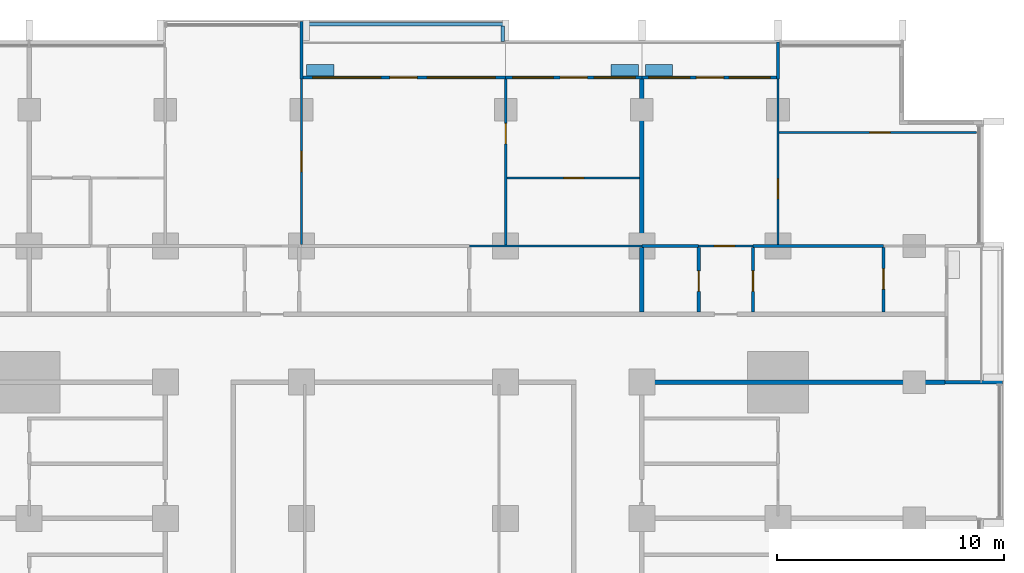
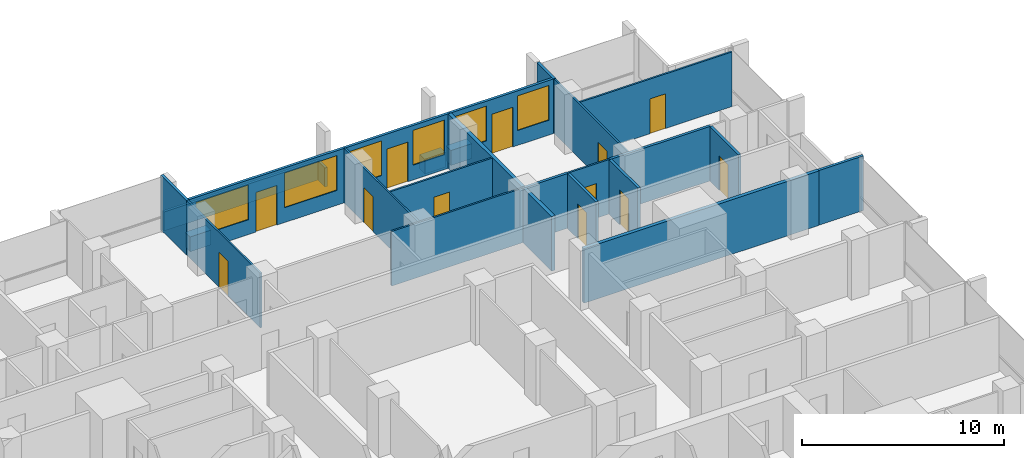
# One storey, part 11 of 17: 26 walls, 12 doors, 6 windows, 18 openings.
"""IFC4 building model written with IfcOpenShell, lengths in metres."""

from ifc_helpers import new_model, si_unit, direction, frame, frame_2d, origin, place, context, subcontext, project, spatial, rectangle, extrude, material, layer, layer_set, type_object, element, fill, save


model = new_model("IFC4")

# Units and contexts
model_context = context("Model", 3, precision=1e-05, world=origin(), true_north=direction((0.0, 1.0)))
body_context = subcontext(model_context, "Body", "Model", "MODEL_VIEW")
ifc_project = project(units=[si_unit("LENGTHUNIT", "METRE"), si_unit("AREAUNIT", "SQUARE_METRE"), si_unit("VOLUMEUNIT", "CUBIC_METRE"), si_unit("PLANEANGLEUNIT", "RADIAN"), si_unit("MASSUNIT", "GRAM", prefix="KILO")], contexts=[model_context])

# Site, building, storey
site_placement = place(None, origin())
site = spatial("IfcSite", under=ifc_project, at=site_placement, CompositionType="ELEMENT")
building_placement = place(site_placement, origin())
building = spatial("IfcBuilding", under=site, at=building_placement, Name="Finial Court Residences", CompositionType="ELEMENT")
storey_placement = place(building_placement, frame((0.0, 0.0, 124.300048828125)))
storey = spatial("IfcBuildingStorey", under=building, at=storey_placement, Name="L31", CompositionType="ELEMENT", Elevation=124.300048828125)

# Walls
ifc_material_1 = material(Name="Gypsum board")
ifc_layer_1 = layer(ifc_material_1, 0.02490234375)
ifc_material_2 = material(Name="Acoustic mineral wool in double frame")
ifc_layer_2 = layer(ifc_material_2, 0.14990234375)
ifc_layer_3 = layer(ifc_material_1, 0.02490234375)
ifc_layer_set_1 = layer_set([ifc_layer_1, ifc_layer_2, ifc_layer_3], Name="Acoustic party wall 200, 1 hour")
wall_type_1 = type_object("IfcWallType", Name="Acoustic party wall 200, 1 hour", PredefinedType="PARTITIONING", material=ifc_layer_set_1)
wall_1_placement = place(storey_placement, frame((10.5, 10.60009765625, 0.0), z_axis=(0.0, 0.0, 1.0), x_axis=(0.0, 1.0, 0.0)))
element("IfcWall", 1, at=wall_1_placement, inside=storey, type_object=wall_type_1, Name="Partition L31-068", PredefinedType="PARTITIONING", context=body_context, shape_type="SweptSolid", body=[
    extrude(rectangle(XDim=2.824951171875, YDim=0.199951171875, at=frame_2d((1.41259765625, 0.0))), origin(), (0.0, 0.0, 1.0), 3.300048828125),
])
wall_2_placement = place(storey_placement, frame((10.5, 13.574951171875, 0.0), z_axis=(0.0, 0.0, 1.0), x_axis=(0.0, 1.0, 0.0)))
element("IfcWall", 2, at=wall_2_placement, inside=storey, type_object=wall_type_1, Name="Partition L31-069", PredefinedType="PARTITIONING", context=body_context, shape_type="SweptSolid", body=[
    extrude(rectangle(XDim=7.275146484375, YDim=0.199951171875, at=frame_2d((3.6376953125, 0.0))), origin(), (0.0, 0.0, 1.0), 3.300048828125),
])
ifc_layer_4 = layer(ifc_material_1, 0.02490234375)
ifc_layer_5 = layer(ifc_material_2, 0.14990234375)
ifc_layer_6 = layer(ifc_material_1, 0.02490234375)
ifc_layer_set_2 = layer_set([ifc_layer_4, ifc_layer_5, ifc_layer_6], Name="Corridor wall 200, 1 hour")
wall_type_2 = type_object("IfcWallType", Name="Corridor wall 200, 1 hour", PredefinedType="PARTITIONING", material=ifc_layer_set_2)
wall_3_placement = place(storey_placement, frame((10.39990234375, 7.5, 0.0), z_axis=(0.0, 0.0, 1.0), x_axis=(1.0, 0.0, 0.0)))
element("IfcWall", 3, at=wall_3_placement, inside=storey, type_object=wall_type_2, Name="Partition L31-025", PredefinedType="PARTITIONING", context=body_context, shape_type="SweptSolid", body=[
    extrude(rectangle(XDim=13.4501953125, YDim=0.199951171875, at=frame_2d((6.72509765625, 0.0))), origin(), (0.0, 0.0, 1.0), 3.300048828125),
])
ifc_layer_7 = layer(ifc_material_1, 0.012451171875)
ifc_material_3 = material(Name="Mineral wool in light-gauge frame")
ifc_layer_8 = layer(ifc_material_3, 0.074951171875)
ifc_layer_9 = layer(ifc_material_1, 0.012451171875)
ifc_layer_set_3 = layer_set([ifc_layer_7, ifc_layer_8, ifc_layer_9], Name="Gypsum board partition 100")
wall_type_3 = type_object("IfcWallType", Name="Gypsum board partition 100", PredefinedType="PARTITIONING", material=ifc_layer_set_3)
wall_4_placement = place(storey_placement, frame((2.89990234375, 13.5, 0.0), z_axis=(0.0, 0.0, 1.0), x_axis=(1.0, 0.0, 0.0)))
element("IfcWall", 4, at=wall_4_placement, inside=storey, type_object=wall_type_3, Name="Partition L31-030", PredefinedType="PARTITIONING", context=body_context, shape_type="SweptSolid", body=[
    extrude(rectangle(XDim=7.60009765625, YDim=0.10009765625, at=frame_2d((3.800048828125, 0.0))), origin(), (0.0, 0.0, 1.0), 3.300048828125),
])

# Wall, opening, door
wall_5_placement = place(storey_placement, frame((13.0, 13.5, 0.0), z_axis=(0.0, 0.0, 1.0), x_axis=(1.0, 0.0, 0.0)))
wall_5 = element("IfcWall", 5, at=wall_5_placement, inside=storey, type_object=wall_type_3, Name="Partition L31-031", PredefinedType="PARTITIONING", context=body_context, shape_type="SweptSolid", body=[
    extrude(rectangle(XDim=2.39990234375, YDim=0.10009765625, at=frame_2d((1.199951171875, 0.0))), origin(), (0.0, 0.0, 1.0), 3.300048828125),
])
opening_1_placement = place(wall_5_placement, frame((0.699951171875, 0.0, 0.0)))
opening_1 = element("IfcOpeningElement", 6, at=opening_1_placement, cuts=wall_5, Name="Opening L31-D017", PredefinedType="OPENING", context=body_context, shape_type="SweptSolid", body=[
    extrude(rectangle(XDim=0.89990234375, YDim=2.10009765625, at=frame_2d((0.449951171875, 1.050048828125))), frame((0.0, 0.06005859375, 0.0), z_axis=(0.0, -1.0, 0.0), x_axis=(1.0, 0.0, 0.0)), (0.0, 0.0, 1.0), 0.1201171875),
])
ifc_material_4 = material(Name="Timber door leaf in timber frame", Category="wood")
door_type_1 = type_object("IfcDoorType", Name="Door set 900 x 2100", OperationType="SINGLE_SWING_LEFT", PredefinedType="DOOR", material=ifc_material_4)
door_1_placement = place(opening_1_placement, origin())
door_1 = element("IfcDoor", 7, at=door_1_placement, inside=storey, type_object=door_type_1, Name="Door L31-D017", OperationType="SINGLE_SWING_LEFT", OverallHeight=2.10009765625, OverallWidth=0.89990234375, PredefinedType="DOOR", context=body_context, shape_type="SweptSolid", body=[
    extrude(rectangle(XDim=0.89990234375, YDim=2.10009765625, at=frame_2d((0.449951171875, 1.050048828125))), frame((0.0, 0.02490234375, 0.0), z_axis=(0.0, -1.0, 0.0), x_axis=(1.0, 0.0, 0.0)), (0.0, 0.0, 1.0), 0.050048828125),
])
fill(opening_1, door_1)

wall_6_placement = place(storey_placement, frame((4.550048828125, 16.5, 0.0), z_axis=(0.0, 0.0, 1.0), x_axis=(1.0, 0.0, 0.0)))
wall_6 = element("IfcWall", 8, at=wall_6_placement, inside=storey, type_object=wall_type_3, Name="Partition L31-040", PredefinedType="PARTITIONING", context=body_context, shape_type="SweptSolid", body=[
    extrude(rectangle(XDim=5.849853515625, YDim=0.10009765625, at=frame_2d((2.9248046875, 0.0))), origin(), (0.0, 0.0, 1.0), 3.300048828125),
])
opening_2_placement = place(wall_6_placement, frame((2.5, 0.0, 0.0)))
opening_2 = element("IfcOpeningElement", 9, at=opening_2_placement, cuts=wall_6, Name="Opening L31-D020", PredefinedType="OPENING", context=body_context, shape_type="SweptSolid", body=[
    extrude(rectangle(XDim=0.89990234375, YDim=2.10009765625, at=frame_2d((0.449951171875, 1.050048828125))), frame((0.0, 0.06005859375, 0.0), z_axis=(0.0, -1.0, 0.0), x_axis=(1.0, 0.0, 0.0)), (0.0, 0.0, 1.0), 0.1201171875),
])
door_2_placement = place(opening_2_placement, origin())
door_2 = element("IfcDoor", 10, at=door_2_placement, inside=storey, type_object=door_type_1, Name="Door L31-D020", OperationType="SINGLE_SWING_RIGHT", OverallHeight=2.10009765625, OverallWidth=0.89990234375, PredefinedType="DOOR", context=body_context, shape_type="SweptSolid", body=[
    extrude(rectangle(XDim=0.89990234375, YDim=2.10009765625, at=frame_2d((0.449951171875, 1.050048828125))), frame((0.0, 0.02490234375, 0.0), z_axis=(0.0, -1.0, 0.0), x_axis=(1.0, 0.0, 0.0)), (0.0, 0.0, 1.0), 0.050048828125),
])
fill(opening_2, door_2)

wall_7_placement = place(storey_placement, frame((16.550048828125, 18.5, 0.0), z_axis=(0.0, 0.0, 1.0), x_axis=(1.0, 0.0, 0.0)))
wall_7 = element("IfcWall", 11, at=wall_7_placement, inside=storey, type_object=wall_type_3, Name="Partition L31-042", PredefinedType="PARTITIONING", context=body_context, shape_type="SweptSolid", body=[
    extrude(rectangle(XDim=8.699951171875, YDim=0.10009765625, at=frame_2d((4.35009765625, 0.0))), origin(), (0.0, 0.0, 1.0), 3.300048828125),
])
opening_3_placement = place(wall_7_placement, frame((4.0, 0.0, 0.0)))
opening_3 = element("IfcOpeningElement", 12, at=opening_3_placement, cuts=wall_7, Name="Opening L31-D022", PredefinedType="OPENING", context=body_context, shape_type="SweptSolid", body=[
    extrude(rectangle(XDim=0.89990234375, YDim=2.10009765625, at=frame_2d((0.449951171875, 1.050048828125))), frame((0.0, 0.06005859375, 0.0), z_axis=(0.0, -1.0, 0.0), x_axis=(1.0, 0.0, 0.0)), (0.0, 0.0, 1.0), 0.1201171875),
])
door_3_placement = place(opening_3_placement, origin())
door_3 = element("IfcDoor", 13, at=door_3_placement, inside=storey, type_object=door_type_1, Name="Door L31-D022", OperationType="SINGLE_SWING_LEFT", OverallHeight=2.10009765625, OverallWidth=0.89990234375, PredefinedType="DOOR", context=body_context, shape_type="SweptSolid", body=[
    extrude(rectangle(XDim=0.89990234375, YDim=2.10009765625, at=frame_2d((0.449951171875, 1.050048828125))), frame((0.0, 0.02490234375, 0.0), z_axis=(0.0, -1.0, 0.0), x_axis=(1.0, 0.0, 0.0)), (0.0, 0.0, 1.0), 0.050048828125),
])
fill(opening_3, door_3)

wall_8_placement = place(storey_placement, frame((-4.5, 13.574951171875, 0.0), z_axis=(0.0, 0.0, 1.0), x_axis=(0.0, 1.0, 0.0)))
wall_8 = element("IfcWall", 14, at=wall_8_placement, inside=storey, type_object=wall_type_3, Name="Partition L31-061", PredefinedType="PARTITIONING", context=body_context, shape_type="SweptSolid", body=[
    extrude(rectangle(XDim=7.275146484375, YDim=0.10009765625, at=frame_2d((3.6376953125, 0.0))), origin(), (0.0, 0.0, 1.0), 3.300048828125),
])
opening_4_placement = place(wall_8_placement, frame((3.199951171875, 0.0, 0.0)))
opening_4 = element("IfcOpeningElement", 15, at=opening_4_placement, cuts=wall_8, Name="Opening L31-D035", PredefinedType="OPENING", context=body_context, shape_type="SweptSolid", body=[
    extrude(rectangle(XDim=0.89990234375, YDim=2.10009765625, at=frame_2d((0.449951171875, 1.050048828125))), frame((0.0, 0.06005859375, 0.0), z_axis=(0.0, -1.0, 0.0), x_axis=(1.0, 0.0, 0.0)), (0.0, 0.0, 1.0), 0.1201171875),
])
door_4_placement = place(opening_4_placement, origin())
door_4 = element("IfcDoor", 16, at=door_4_placement, inside=storey, type_object=door_type_1, Name="Door L31-D035", OperationType="SINGLE_SWING_RIGHT", OverallHeight=2.10009765625, OverallWidth=0.89990234375, PredefinedType="DOOR", context=body_context, shape_type="SweptSolid", body=[
    extrude(rectangle(XDim=0.89990234375, YDim=2.10009765625, at=frame_2d((0.449951171875, 1.050048828125))), frame((0.0, 0.02490234375, 0.0), z_axis=(0.0, -1.0, 0.0), x_axis=(1.0, 0.0, 0.0)), (0.0, 0.0, 1.0), 0.050048828125),
])
fill(opening_4, door_4)

wall_9_placement = place(storey_placement, frame((4.5, 13.550048828125, 0.0), z_axis=(0.0, 0.0, 1.0), x_axis=(0.0, 1.0, 0.0)))
wall_9 = element("IfcWall", 17, at=wall_9_placement, inside=storey, type_object=wall_type_3, Name="Partition L31-065", PredefinedType="PARTITIONING", context=body_context, shape_type="SweptSolid", body=[
    extrude(rectangle(XDim=7.300048828125, YDim=0.10009765625, at=frame_2d((3.64990234375, 0.0))), origin(), (0.0, 0.0, 1.0), 3.300048828125),
])
opening_5_placement = place(wall_9_placement, frame((4.449951171875, 0.0, 0.0)))
opening_5 = element("IfcOpeningElement", 18, at=opening_5_placement, cuts=wall_9, Name="Opening L31-D037", PredefinedType="OPENING", context=body_context, shape_type="SweptSolid", body=[
    extrude(rectangle(XDim=0.89990234375, YDim=2.10009765625, at=frame_2d((0.449951171875, 1.050048828125))), frame((0.0, 0.06005859375, 0.0), z_axis=(0.0, -1.0, 0.0), x_axis=(1.0, 0.0, 0.0)), (0.0, 0.0, 1.0), 0.1201171875),
])
door_5_placement = place(opening_5_placement, origin())
door_5 = element("IfcDoor", 19, at=door_5_placement, inside=storey, type_object=door_type_1, Name="Door L31-D037", OperationType="SINGLE_SWING_RIGHT", OverallHeight=2.10009765625, OverallWidth=0.89990234375, PredefinedType="DOOR", context=body_context, shape_type="SweptSolid", body=[
    extrude(rectangle(XDim=0.89990234375, YDim=2.10009765625, at=frame_2d((0.449951171875, 1.050048828125))), frame((0.0, 0.02490234375, 0.0), z_axis=(0.0, -1.0, 0.0), x_axis=(1.0, 0.0, 0.0)), (0.0, 0.0, 1.0), 0.050048828125),
])
fill(opening_5, door_5)

wall_10_placement = place(storey_placement, frame((16.5, 13.574951171875, 0.0), z_axis=(0.0, 0.0, 1.0), x_axis=(0.0, 1.0, 0.0)))
wall_10 = element("IfcWall", 20, at=wall_10_placement, inside=storey, type_object=wall_type_3, Name="Partition L31-078", PredefinedType="PARTITIONING", context=body_context, shape_type="SweptSolid", body=[
    extrude(rectangle(XDim=7.275146484375, YDim=0.10009765625, at=frame_2d((3.6376953125, 0.0))), origin(), (0.0, 0.0, 1.0), 3.300048828125),
])
opening_6_placement = place(wall_10_placement, frame((2.0, 0.0, 0.0)))
opening_6 = element("IfcOpeningElement", 21, at=opening_6_placement, cuts=wall_10, Name="Opening L31-D046", PredefinedType="OPENING", context=body_context, shape_type="SweptSolid", body=[
    extrude(rectangle(XDim=0.89990234375, YDim=2.10009765625, at=frame_2d((0.449951171875, 1.050048828125))), frame((0.0, 0.06005859375, 0.0), z_axis=(0.0, -1.0, 0.0), x_axis=(1.0, 0.0, 0.0)), (0.0, 0.0, 1.0), 0.1201171875),
])
door_6_placement = place(opening_6_placement, origin())
door_6 = element("IfcDoor", 22, at=door_6_placement, inside=storey, type_object=door_type_1, Name="Door L31-D046", OperationType="SINGLE_SWING_LEFT", OverallHeight=2.10009765625, OverallWidth=0.89990234375, PredefinedType="DOOR", context=body_context, shape_type="SweptSolid", body=[
    extrude(rectangle(XDim=0.89990234375, YDim=2.10009765625, at=frame_2d((0.449951171875, 1.050048828125))), frame((0.0, 0.02490234375, 0.0), z_axis=(0.0, -1.0, 0.0), x_axis=(1.0, 0.0, 0.0)), (0.0, 0.0, 1.0), 0.050048828125),
])
fill(opening_6, door_6)

# Walls
ifc_material_5 = material(Name="Moisture-resistant gypsum board")
ifc_layer_10 = layer(ifc_material_5, 0.012451171875)
ifc_layer_11 = layer(ifc_material_3, 0.125)
ifc_layer_12 = layer(ifc_material_5, 0.012451171875)
ifc_layer_set_4 = layer_set([ifc_layer_10, ifc_layer_11, ifc_layer_12], Name="Gypsum board wet-area partition 150")
wall_type_4 = type_object("IfcWallType", Name="Gypsum board wet-area partition 150", PredefinedType="PARTITIONING", material=ifc_layer_set_4)
wall_11_placement = place(storey_placement, frame((10.5, 13.5, 0.0), z_axis=(0.0, 0.0, 1.0), x_axis=(1.0, 0.0, 0.0)))
element("IfcWall", 23, at=wall_11_placement, inside=storey, type_object=wall_type_4, Name="Partition L31-037", PredefinedType="PARTITIONING", context=body_context, shape_type="SweptSolid", body=[
    extrude(rectangle(XDim=2.5, YDim=0.14990234375, at=frame_2d((1.25, 0.0))), origin(), (0.0, 0.0, 1.0), 3.300048828125),
])
wall_12_placement = place(storey_placement, frame((15.39990234375, 13.5, 0.0), z_axis=(0.0, 0.0, 1.0), x_axis=(1.0, 0.0, 0.0)))
element("IfcWall", 24, at=wall_12_placement, inside=storey, type_object=wall_type_4, Name="Partition L31-038", PredefinedType="PARTITIONING", context=body_context, shape_type="SweptSolid", body=[
    extrude(rectangle(XDim=5.75, YDim=0.14990234375, at=frame_2d((2.875, 0.0))), origin(), (0.0, 0.0, 1.0), 3.300048828125),
])

# Wall, opening, door
wall_13_placement = place(storey_placement, frame((13.0, 10.60009765625, 0.0), z_axis=(0.0, 0.0, 1.0), x_axis=(0.0, 1.0, 0.0)))
wall_13 = element("IfcWall", 25, at=wall_13_placement, inside=storey, type_object=wall_type_4, Name="Partition L31-070", PredefinedType="PARTITIONING", context=body_context, shape_type="SweptSolid", body=[
    extrude(rectangle(XDim=2.824951171875, YDim=0.14990234375, at=frame_2d((1.41259765625, 0.0))), origin(), (0.0, 0.0, 1.0), 3.300048828125),
])
opening_7_placement = place(wall_13_placement, frame((0.89990234375, 0.0, 0.0)))
opening_7 = element("IfcOpeningElement", 26, at=opening_7_placement, cuts=wall_13, Name="Opening L31-D039", PredefinedType="OPENING", context=body_context, shape_type="SweptSolid", body=[
    extrude(rectangle(XDim=0.89990234375, YDim=2.10009765625, at=frame_2d((0.449951171875, 1.050048828125))), frame((0.0, 0.0849609375, 0.0), z_axis=(0.0, -1.0, 0.0), x_axis=(1.0, 0.0, 0.0)), (0.0, 0.0, 1.0), 0.169921875),
])
door_7_placement = place(opening_7_placement, origin())
door_7 = element("IfcDoor", 27, at=door_7_placement, inside=storey, type_object=door_type_1, Name="Door L31-D039", OperationType="SINGLE_SWING_RIGHT", OverallHeight=2.10009765625, OverallWidth=0.89990234375, PredefinedType="DOOR", context=body_context, shape_type="SweptSolid", body=[
    extrude(rectangle(XDim=0.89990234375, YDim=2.10009765625, at=frame_2d((0.449951171875, 1.050048828125))), frame((0.0, 0.02490234375, 0.0), z_axis=(0.0, -1.0, 0.0), x_axis=(1.0, 0.0, 0.0)), (0.0, 0.0, 1.0), 0.050048828125),
])
fill(opening_7, door_7)

wall_14_placement = place(storey_placement, frame((15.39990234375, 10.60009765625, 0.0), z_axis=(0.0, 0.0, 1.0), x_axis=(0.0, 1.0, 0.0)))
wall_14 = element("IfcWall", 28, at=wall_14_placement, inside=storey, type_object=wall_type_4, Name="Partition L31-071", PredefinedType="PARTITIONING", context=body_context, shape_type="SweptSolid", body=[
    extrude(rectangle(XDim=2.824951171875, YDim=0.14990234375, at=frame_2d((1.41259765625, 0.0))), origin(), (0.0, 0.0, 1.0), 3.300048828125),
])
opening_8_placement = place(wall_14_placement, frame((0.89990234375, 0.0, 0.0)))
opening_8 = element("IfcOpeningElement", 29, at=opening_8_placement, cuts=wall_14, Name="Opening L31-D040", PredefinedType="OPENING", context=body_context, shape_type="SweptSolid", body=[
    extrude(rectangle(XDim=0.89990234375, YDim=2.10009765625, at=frame_2d((0.449951171875, 1.050048828125))), frame((0.0, 0.0849609375, 0.0), z_axis=(0.0, -1.0, 0.0), x_axis=(1.0, 0.0, 0.0)), (0.0, 0.0, 1.0), 0.169921875),
])
door_8_placement = place(opening_8_placement, origin())
door_8 = element("IfcDoor", 30, at=door_8_placement, inside=storey, type_object=door_type_1, Name="Door L31-D040", OperationType="SINGLE_SWING_LEFT", OverallHeight=2.10009765625, OverallWidth=0.89990234375, PredefinedType="DOOR", context=body_context, shape_type="SweptSolid", body=[
    extrude(rectangle(XDim=0.89990234375, YDim=2.10009765625, at=frame_2d((0.449951171875, 1.050048828125))), frame((0.0, 0.02490234375, 0.0), z_axis=(0.0, -1.0, 0.0), x_axis=(1.0, 0.0, 0.0)), (0.0, 0.0, 1.0), 0.050048828125),
])
fill(opening_8, door_8)

wall_15_placement = place(storey_placement, frame((21.14990234375, 10.60009765625, 0.0), z_axis=(0.0, 0.0, 1.0), x_axis=(0.0, 1.0, 0.0)))
wall_15 = element("IfcWall", 31, at=wall_15_placement, inside=storey, type_object=wall_type_4, Name="Partition L31-082", PredefinedType="PARTITIONING", context=body_context, shape_type="SweptSolid", body=[
    extrude(rectangle(XDim=2.824951171875, YDim=0.14990234375, at=frame_2d((1.41259765625, 0.0))), origin(), (0.0, 0.0, 1.0), 3.300048828125),
])
opening_9_placement = place(wall_15_placement, frame((1.0, 0.0, 0.0)))
opening_9 = element("IfcOpeningElement", 32, at=opening_9_placement, cuts=wall_15, Name="Opening L31-D049", PredefinedType="OPENING", context=body_context, shape_type="SweptSolid", body=[
    extrude(rectangle(XDim=0.89990234375, YDim=2.10009765625, at=frame_2d((0.449951171875, 1.050048828125))), frame((0.0, 0.0849609375, 0.0), z_axis=(0.0, -1.0, 0.0), x_axis=(1.0, 0.0, 0.0)), (0.0, 0.0, 1.0), 0.169921875),
])
door_9_placement = place(opening_9_placement, origin())
door_9 = element("IfcDoor", 33, at=door_9_placement, inside=storey, type_object=door_type_1, Name="Door L31-D049", OperationType="SINGLE_SWING_LEFT", OverallHeight=2.10009765625, OverallWidth=0.89990234375, PredefinedType="DOOR", context=body_context, shape_type="SweptSolid", body=[
    extrude(rectangle(XDim=0.89990234375, YDim=2.10009765625, at=frame_2d((0.449951171875, 1.050048828125))), frame((0.0, 0.02490234375, 0.0), z_axis=(0.0, -1.0, 0.0), x_axis=(1.0, 0.0, 0.0)), (0.0, 0.0, 1.0), 0.050048828125),
])
fill(opening_9, door_9)

# Walls
ifc_material_6 = material(Name="Concrete C35/45", Category="concrete")
ifc_layer_13 = layer(ifc_material_6, 0.14990234375)
ifc_layer_set_5 = layer_set([ifc_layer_13], Name="Ledge parapet, Concrete C35/45 150")
wall_type_5 = type_object("IfcWallType", Name="Ledge parapet, Concrete C35/45 150", PredefinedType="PARAPET", material=ifc_layer_set_5)
wall_16_placement = place(storey_placement, frame((-4.489990234375, 23.27490234375, 0.0), z_axis=(0.0, 0.0, 1.0), x_axis=(1.0, 0.0, 0.0)))
element("IfcWall", 34, at=wall_16_placement, inside=storey, type_object=wall_type_5, Name="E-L31-LED1-P1", PredefinedType="PARAPET", context=body_context, shape_type="SweptSolid", body=[
    extrude(rectangle(XDim=8.93994140625, YDim=0.14990234375, at=frame_2d((4.469970703125, 0.0))), origin(), (0.0, 0.0, 1.0), 1.14990234375),
])
wall_17_placement = place(storey_placement, frame((4.375, 23.199951171875, 0.0), z_axis=(0.0, 0.0, 1.0), x_axis=(0.0, -1.0, 0.0)))
element("IfcWall", 35, at=wall_17_placement, inside=storey, type_object=wall_type_5, Name="E-L31-LED1-P2", PredefinedType="PARAPET", context=body_context, shape_type="SweptSolid", body=[
    extrude(rectangle(XDim=0.68994140625, YDim=0.14990234375, at=frame_2d((0.344970703125, 0.0))), origin(), (0.0, 0.0, 1.0), 1.14990234375),
])
ifc_material_7 = material(Name="Natural limestone", Category="masonry")
ifc_layer_14 = layer(ifc_material_7, 0.14990234375)
ifc_layer_set_6 = layer_set([ifc_layer_14], Name="Limestone clad wall 150")
wall_type_6 = type_object("IfcWallType", Name="Limestone clad wall 150", PredefinedType="SOLIDWALL", material=ifc_layer_set_6)
wall_18_placement = place(storey_placement, frame((-4.5, 20.85009765625, 0.0), z_axis=(0.0, 0.0, 1.0), x_axis=(0.0, 1.0, 0.0)))
element("IfcWall", 36, at=wall_18_placement, inside=storey, type_object=wall_type_6, Name="E-L31-BALN4-P1", PredefinedType="SOLIDWALL", context=body_context, shape_type="SweptSolid", body=[
    extrude(rectangle(XDim=2.5498046875, YDim=0.14990234375, at=frame_2d((1.27490234375, 0.0))), origin(), (0.0, 0.0, 1.0), 3.300048828125),
])

# Wall, openings, door, windows
wall_19_placement = place(storey_placement, frame((-4.425048828125, 20.925048828125, 0.0), z_axis=(0.0, 0.0, 1.0), x_axis=(1.0, 0.0, 0.0)))
wall_19 = element("IfcWall", 37, at=wall_19_placement, inside=storey, type_object=wall_type_6, Name="E-L31-L31-BALN4-W", PredefinedType="SOLIDWALL", context=body_context, shape_type="SweptSolid", body=[
    extrude(rectangle(XDim=8.925048828125, YDim=0.14990234375, at=frame_2d((4.46240234375, 0.0))), origin(), (0.0, 0.0, 1.0), 3.300048828125),
])
opening_10_placement = place(wall_19_placement, frame((3.824951171875, 0.0, 0.0)))
opening_10 = element("IfcOpeningElement", 38, at=opening_10_placement, cuts=wall_19, Name="Opening DE31-01", PredefinedType="OPENING", context=body_context, shape_type="SweptSolid", body=[
    extrude(rectangle(XDim=1.199951171875, YDim=2.39990234375, at=frame_2d((0.60009765625, 1.199951171875))), frame((0.0, 0.0849609375, 0.0), z_axis=(0.0, -1.0, 0.0), x_axis=(1.0, 0.0, 0.0)), (0.0, 0.0, 1.0), 0.169921875),
])
opening_11_placement = place(wall_19_placement, frame((0.41259765625, 0.0, 0.89990234375)))
opening_11 = element("IfcOpeningElement", 39, at=opening_11_placement, cuts=wall_19, Name="Opening WE31-09", PredefinedType="OPENING", context=body_context, shape_type="SweptSolid", body=[
    extrude(rectangle(XDim=3.0, YDim=2.10009765625, at=frame_2d((1.5, 1.050048828125))), frame((0.0, 0.0849609375, 0.0), z_axis=(0.0, -1.0, 0.0), x_axis=(1.0, 0.0, 0.0)), (0.0, 0.0, 1.0), 0.169921875),
])
opening_12_placement = place(wall_19_placement, frame((5.47509765625, 0.0, 0.89990234375)))
opening_12 = element("IfcOpeningElement", 40, at=opening_12_placement, cuts=wall_19, Name="Opening WE31-10", PredefinedType="OPENING", context=body_context, shape_type="SweptSolid", body=[
    extrude(rectangle(XDim=3.0, YDim=2.10009765625, at=frame_2d((1.5, 1.050048828125))), frame((0.0, 0.0849609375, 0.0), z_axis=(0.0, -1.0, 0.0), x_axis=(1.0, 0.0, 0.0)), (0.0, 0.0, 1.0), 0.169921875),
])
ifc_material_8 = material(Name="Bronze anodised aluminium", Category="aluminium")
door_type_2 = type_object("IfcDoorType", Name="Balcony door 1200 x 2400", OperationType="SINGLE_SWING_LEFT", PredefinedType="DOOR", material=ifc_material_8)
door_10_placement = place(opening_10_placement, origin())
door_10 = element("IfcDoor", 41, at=door_10_placement, inside=storey, type_object=door_type_2, Name="E-L31-L31-BALN4-W-D", OperationType="SINGLE_SWING_LEFT", OverallHeight=2.39990234375, OverallWidth=1.199951171875, PredefinedType="DOOR", context=body_context, shape_type="SweptSolid", body=[
    extrude(rectangle(XDim=1.199951171875, YDim=2.39990234375, at=frame_2d((0.60009765625, 1.199951171875))), frame((0.0, 0.02490234375, 0.0), z_axis=(0.0, -1.0, 0.0), x_axis=(1.0, 0.0, 0.0)), (0.0, 0.0, 1.0), 0.050048828125),
])
fill(opening_10, door_10)
ifc_material_9 = material(Name="Clear low-e glass", Category="glass")
window_type_1 = type_object("IfcWindowType", Name="Balcony window 3000 x 2100", PartitioningType="SINGLE_PANEL", PredefinedType="WINDOW", material=ifc_material_9)
window_1_placement = place(opening_11_placement, origin())
window_1 = element("IfcWindow", 42, at=window_1_placement, inside=storey, type_object=window_type_1, Name="E-L31-L31-BALN4-W-W1", OverallHeight=2.10009765625, OverallWidth=3.0, PartitioningType="SINGLE_PANEL", PredefinedType="WINDOW", context=body_context, shape_type="SweptSolid", body=[
    extrude(rectangle(XDim=3.0, YDim=2.10009765625, at=frame_2d((1.5, 1.050048828125))), frame((0.0, 0.030029296875, 0.0), z_axis=(0.0, -1.0, 0.0), x_axis=(1.0, 0.0, 0.0)), (0.0, 0.0, 1.0), 0.06005859375),
])
fill(opening_11, window_1)
window_2_placement = place(opening_12_placement, origin())
window_2 = element("IfcWindow", 43, at=window_2_placement, inside=storey, type_object=window_type_1, Name="E-L31-L31-BALN4-W-W2", OverallHeight=2.10009765625, OverallWidth=3.0, PartitioningType="SINGLE_PANEL", PredefinedType="WINDOW", context=body_context, shape_type="SweptSolid", body=[
    extrude(rectangle(XDim=3.0, YDim=2.10009765625, at=frame_2d((1.5, 1.050048828125))), frame((0.0, 0.030029296875, 0.0), z_axis=(0.0, -1.0, 0.0), x_axis=(1.0, 0.0, 0.0)), (0.0, 0.0, 1.0), 0.06005859375),
])
fill(opening_12, window_2)

wall_20_placement = place(storey_placement, frame((4.5, 20.925048828125, 0.0), z_axis=(0.0, 0.0, 1.0), x_axis=(1.0, 0.0, 0.0)))
wall_20 = element("IfcWall", 44, at=wall_20_placement, inside=storey, type_object=wall_type_6, Name="E-L31-L31-BALN5-W", PredefinedType="SOLIDWALL", context=body_context, shape_type="SweptSolid", body=[
    extrude(rectangle(XDim=6.0, YDim=0.14990234375, at=frame_2d((3.0, 0.0))), origin(), (0.0, 0.0, 1.0), 3.300048828125),
])
opening_13_placement = place(wall_20_placement, frame((2.39990234375, 0.0, 0.0)))
opening_13 = element("IfcOpeningElement", 45, at=opening_13_placement, cuts=wall_20, Name="Opening DE31-02", PredefinedType="OPENING", context=body_context, shape_type="SweptSolid", body=[
    extrude(rectangle(XDim=1.199951171875, YDim=2.39990234375, at=frame_2d((0.60009765625, 1.199951171875))), frame((0.0, 0.0849609375, 0.0), z_axis=(0.0, -1.0, 0.0), x_axis=(1.0, 0.0, 0.0)), (0.0, 0.0, 1.0), 0.169921875),
])
opening_14_placement = place(wall_20_placement, frame((0.300048828125, 0.0, 0.89990234375)))
opening_14 = element("IfcOpeningElement", 46, at=opening_14_placement, cuts=wall_20, Name="Opening WE31-11", PredefinedType="OPENING", context=body_context, shape_type="SweptSolid", body=[
    extrude(rectangle(XDim=1.800048828125, YDim=2.10009765625, at=frame_2d((0.89990234375, 1.050048828125))), frame((0.0, 0.0849609375, 0.0), z_axis=(0.0, -1.0, 0.0), x_axis=(1.0, 0.0, 0.0)), (0.0, 0.0, 1.0), 0.169921875),
])
opening_15_placement = place(wall_20_placement, frame((3.89990234375, 0.0, 0.89990234375)))
opening_15 = element("IfcOpeningElement", 47, at=opening_15_placement, cuts=wall_20, Name="Opening WE31-12", PredefinedType="OPENING", context=body_context, shape_type="SweptSolid", body=[
    extrude(rectangle(XDim=1.800048828125, YDim=2.10009765625, at=frame_2d((0.89990234375, 1.050048828125))), frame((0.0, 0.0849609375, 0.0), z_axis=(0.0, -1.0, 0.0), x_axis=(1.0, 0.0, 0.0)), (0.0, 0.0, 1.0), 0.169921875),
])
door_11_placement = place(opening_13_placement, origin())
door_11 = element("IfcDoor", 48, at=door_11_placement, inside=storey, type_object=door_type_2, Name="E-L31-L31-BALN5-W-D", OperationType="SINGLE_SWING_RIGHT", OverallHeight=2.39990234375, OverallWidth=1.199951171875, PredefinedType="DOOR", context=body_context, shape_type="SweptSolid", body=[
    extrude(rectangle(XDim=1.199951171875, YDim=2.39990234375, at=frame_2d((0.60009765625, 1.199951171875))), frame((0.0, 0.02490234375, 0.0), z_axis=(0.0, -1.0, 0.0), x_axis=(1.0, 0.0, 0.0)), (0.0, 0.0, 1.0), 0.050048828125),
])
fill(opening_13, door_11)
window_type_2 = type_object("IfcWindowType", Name="Balcony window 1800 x 2100", PartitioningType="SINGLE_PANEL", PredefinedType="WINDOW", material=ifc_material_9)
window_3_placement = place(opening_14_placement, origin())
window_3 = element("IfcWindow", 49, at=window_3_placement, inside=storey, type_object=window_type_2, Name="E-L31-L31-BALN5-W-W1", OverallHeight=2.10009765625, OverallWidth=1.800048828125, PartitioningType="SINGLE_PANEL", PredefinedType="WINDOW", context=body_context, shape_type="SweptSolid", body=[
    extrude(rectangle(XDim=1.800048828125, YDim=2.10009765625, at=frame_2d((0.89990234375, 1.050048828125))), frame((0.0, 0.030029296875, 0.0), z_axis=(0.0, -1.0, 0.0), x_axis=(1.0, 0.0, 0.0)), (0.0, 0.0, 1.0), 0.06005859375),
])
fill(opening_14, window_3)
window_4_placement = place(opening_15_placement, origin())
window_4 = element("IfcWindow", 50, at=window_4_placement, inside=storey, type_object=window_type_2, Name="E-L31-L31-BALN5-W-W2", OverallHeight=2.10009765625, OverallWidth=1.800048828125, PartitioningType="SINGLE_PANEL", PredefinedType="WINDOW", context=body_context, shape_type="SweptSolid", body=[
    extrude(rectangle(XDim=1.800048828125, YDim=2.10009765625, at=frame_2d((0.89990234375, 1.050048828125))), frame((0.0, 0.030029296875, 0.0), z_axis=(0.0, -1.0, 0.0), x_axis=(1.0, 0.0, 0.0)), (0.0, 0.0, 1.0), 0.06005859375),
])
fill(opening_15, window_4)

# Wall
wall_21_placement = place(storey_placement, frame((16.5, 20.85009765625, 0.0), z_axis=(0.0, 0.0, 1.0), x_axis=(0.0, 1.0, 0.0)))
element("IfcWall", 51, at=wall_21_placement, inside=storey, type_object=wall_type_6, Name="E-L31-BALN6-P2", PredefinedType="SOLIDWALL", context=body_context, shape_type="SweptSolid", body=[
    extrude(rectangle(XDim=1.64990234375, YDim=0.14990234375, at=frame_2d((0.824951171875, 0.0))), origin(), (0.0, 0.0, 1.0), 3.300048828125),
])

# Wall, openings, door, windows
wall_22_placement = place(storey_placement, frame((10.5, 20.925048828125, 0.0), z_axis=(0.0, 0.0, 1.0), x_axis=(1.0, 0.0, 0.0)))
wall_22 = element("IfcWall", 52, at=wall_22_placement, inside=storey, type_object=wall_type_6, Name="E-L31-L31-BALN6-W", PredefinedType="SOLIDWALL", context=body_context, shape_type="SweptSolid", body=[
    extrude(rectangle(XDim=5.925048828125, YDim=0.14990234375, at=frame_2d((2.96240234375, 0.0))), origin(), (0.0, 0.0, 1.0), 3.300048828125),
])
opening_16_placement = place(wall_22_placement, frame((2.39990234375, 0.0, 0.0)))
opening_16 = element("IfcOpeningElement", 53, at=opening_16_placement, cuts=wall_22, Name="Opening DE31-03", PredefinedType="OPENING", context=body_context, shape_type="SweptSolid", body=[
    extrude(rectangle(XDim=1.199951171875, YDim=2.39990234375, at=frame_2d((0.60009765625, 1.199951171875))), frame((0.0, 0.0849609375, 0.0), z_axis=(0.0, -1.0, 0.0), x_axis=(1.0, 0.0, 0.0)), (0.0, 0.0, 1.0), 0.169921875),
])
opening_17_placement = place(wall_22_placement, frame((0.300048828125, 0.0, 0.89990234375)))
opening_17 = element("IfcOpeningElement", 54, at=opening_17_placement, cuts=wall_22, Name="Opening WE31-13", PredefinedType="OPENING", context=body_context, shape_type="SweptSolid", body=[
    extrude(rectangle(XDim=1.800048828125, YDim=2.10009765625, at=frame_2d((0.89990234375, 1.050048828125))), frame((0.0, 0.0849609375, 0.0), z_axis=(0.0, -1.0, 0.0), x_axis=(1.0, 0.0, 0.0)), (0.0, 0.0, 1.0), 0.169921875),
])
opening_18_placement = place(wall_22_placement, frame((3.862548828125, 0.0, 0.89990234375)))
opening_18 = element("IfcOpeningElement", 55, at=opening_18_placement, cuts=wall_22, Name="Opening WE31-14", PredefinedType="OPENING", context=body_context, shape_type="SweptSolid", body=[
    extrude(rectangle(XDim=1.800048828125, YDim=2.10009765625, at=frame_2d((0.89990234375, 1.050048828125))), frame((0.0, 0.0849609375, 0.0), z_axis=(0.0, -1.0, 0.0), x_axis=(1.0, 0.0, 0.0)), (0.0, 0.0, 1.0), 0.169921875),
])
door_12_placement = place(opening_16_placement, origin())
door_12 = element("IfcDoor", 56, at=door_12_placement, inside=storey, type_object=door_type_2, Name="E-L31-L31-BALN6-W-D", OperationType="SINGLE_SWING_LEFT", OverallHeight=2.39990234375, OverallWidth=1.199951171875, PredefinedType="DOOR", context=body_context, shape_type="SweptSolid", body=[
    extrude(rectangle(XDim=1.199951171875, YDim=2.39990234375, at=frame_2d((0.60009765625, 1.199951171875))), frame((0.0, 0.02490234375, 0.0), z_axis=(0.0, -1.0, 0.0), x_axis=(1.0, 0.0, 0.0)), (0.0, 0.0, 1.0), 0.050048828125),
])
fill(opening_16, door_12)
window_5_placement = place(opening_17_placement, origin())
window_5 = element("IfcWindow", 57, at=window_5_placement, inside=storey, type_object=window_type_2, Name="E-L31-L31-BALN6-W-W1", OverallHeight=2.10009765625, OverallWidth=1.800048828125, PartitioningType="SINGLE_PANEL", PredefinedType="WINDOW", context=body_context, shape_type="SweptSolid", body=[
    extrude(rectangle(XDim=1.800048828125, YDim=2.10009765625, at=frame_2d((0.89990234375, 1.050048828125))), frame((0.0, 0.030029296875, 0.0), z_axis=(0.0, -1.0, 0.0), x_axis=(1.0, 0.0, 0.0)), (0.0, 0.0, 1.0), 0.06005859375),
])
fill(opening_17, window_5)
window_6_placement = place(opening_18_placement, origin())
window_6 = element("IfcWindow", 58, at=window_6_placement, inside=storey, type_object=window_type_2, Name="E-L31-L31-BALN6-W-W2", OverallHeight=2.10009765625, OverallWidth=1.800048828125, PartitioningType="SINGLE_PANEL", PredefinedType="WINDOW", context=body_context, shape_type="SweptSolid", body=[
    extrude(rectangle(XDim=1.800048828125, YDim=2.10009765625, at=frame_2d((0.89990234375, 1.050048828125))), frame((0.0, 0.030029296875, 0.0), z_axis=(0.0, -1.0, 0.0), x_axis=(1.0, 0.0, 0.0)), (0.0, 0.0, 1.0), 0.06005859375),
])
fill(opening_18, window_6)

# Walls
wall_23_placement = place(storey_placement, frame((23.85009765625, 7.5, 0.0), z_axis=(0.0, 0.0, 1.0), x_axis=(1.0, 0.0, 0.0)))
element("IfcWall", 59, at=wall_23_placement, inside=storey, type_object=wall_type_6, Name="E-L31-BALE5-P1", PredefinedType="SOLIDWALL", context=body_context, shape_type="SweptSolid", body=[
    extrude(rectangle(XDim=2.5498046875, YDim=0.14990234375, at=frame_2d((1.27490234375, 0.0))), origin(), (0.0, 0.0, 1.0), 3.300048828125),
])
ifc_material_10 = material(Name="Concrete C40/50", Category="concrete")
ifc_layer_15 = layer(ifc_material_10, 0.10009765625)
ifc_material_11 = material(Name="Planting soil", Category="soil")
ifc_layer_16 = layer(ifc_material_11, 0.300048828125)
ifc_layer_17 = layer(ifc_material_10, 0.10009765625)
ifc_layer_set_7 = layer_set([ifc_layer_15, ifc_layer_16, ifc_layer_17], Name="Planter wall, balcony")
wall_type_7 = type_object("IfcWallType", Name="Planter wall, balcony", PredefinedType="USERDEFINED", material=ifc_layer_set_7)
wall_24_placement = place(storey_placement, frame((-4.27490234375, 21.25, 0.0), z_axis=(0.0, 0.0, 1.0), x_axis=(1.0, 0.0, 0.0)))
element("IfcWall", 60, at=wall_24_placement, inside=storey, type_object=wall_type_7, Name="E-L31-BALN4-PL", ObjectType="PLANTER", PredefinedType="USERDEFINED", context=body_context, shape_type="SweptSolid", body=[
    extrude(rectangle(XDim=1.199951171875, YDim=0.5, at=frame_2d((0.60009765625, 0.0))), origin(), (0.0, 0.0, 1.0), 0.89990234375),
])
for number, where, z_axis, x_axis, name in (
    (61, (9.14990234375, 21.25, 0.0), (0.0, 0.0, 1.0), (1.0, 0.0, 0.0), "E-L31-BALN5-PL"),
    (62, (10.64990234375, 21.25, 0.0), (0.0, 0.0, 1.0), (1.0, 0.0, 0.0), "E-L31-BALN6-PL"),
):
    element("IfcWall", number, at=place(storey_placement, frame(where, z_axis=z_axis, x_axis=x_axis)), inside=storey, type_object=wall_type_7, Name=name, ObjectType="PLANTER", PredefinedType="USERDEFINED", context=body_context, shape_type="SweptSolid", body=[
        extrude(rectangle(XDim=1.2001953125, YDim=0.5, at=frame_2d((0.60009765625, 0.0))), origin(), (0.0, 0.0, 1.0), 0.89990234375),
    ])

save(model, "model.ifc")
